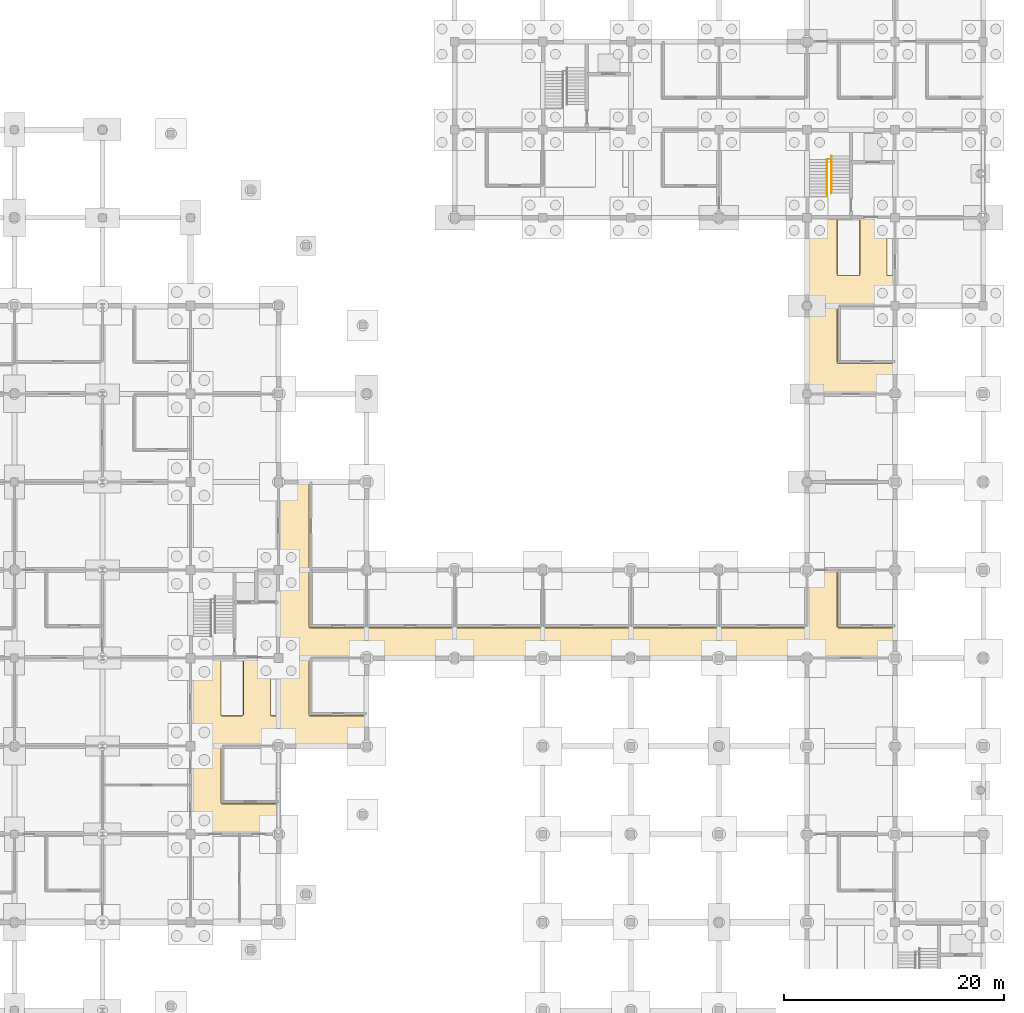
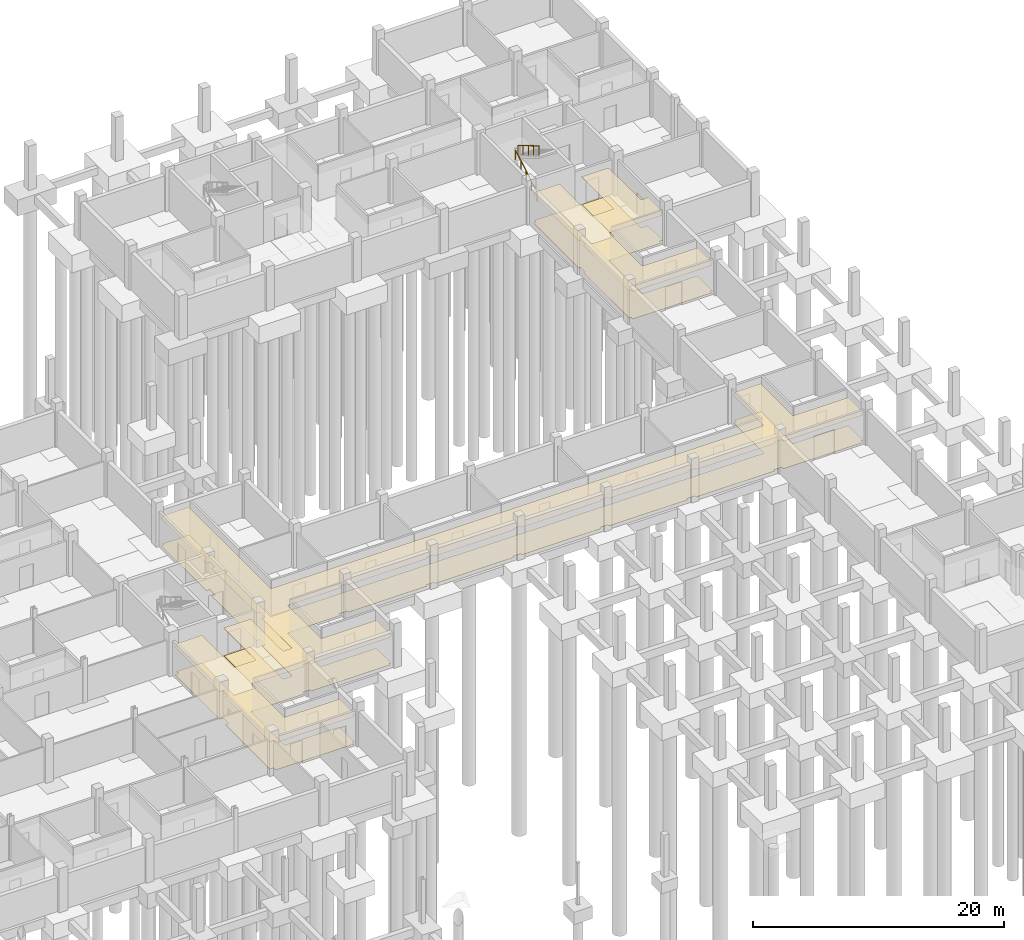
# One storey, part 46 of 48: 4 coverings, 2 railings.
"""IFC4 building model written with IfcOpenShell, lengths in metres."""

from ifc_helpers import new_model, si_unit, derived_unit, direction, frame, origin, origin_2d, place, context, subcontext, project, spatial, polyline, circle, outline, extrude, material, layer, layer_set, type_object, element, save


model = new_model("IFC4")

# Units and contexts
model_context = context("Model", 3, precision=1e-05, world=origin(), true_north=direction((0.0, 1.0)))
body_context = subcontext(model_context, "Body", "Model", "MODEL_VIEW")
ifc_project = project(units=[si_unit("LENGTHUNIT", "METRE"), si_unit("AREAUNIT", "SQUARE_METRE"), si_unit("VOLUMEUNIT", "CUBIC_METRE"), si_unit("PLANEANGLEUNIT", "RADIAN"), si_unit("MASSUNIT", "GRAM", prefix="KILO"), derived_unit("THERMALTRANSMITTANCEUNIT", [(si_unit("MASSUNIT", "GRAM", prefix="KILO"), 1), (si_unit("TIMEUNIT", "SECOND"), -3), (si_unit("THERMODYNAMICTEMPERATUREUNIT", "KELVIN"), -1)])], contexts=[model_context])

# Site, building, storey
site_placement = place(None, origin())
site = spatial("IfcSite", under=ifc_project, at=site_placement, CompositionType="ELEMENT")
building_placement = place(site_placement, origin())
building = spatial("IfcBuilding", under=site, at=building_placement, Name="Veyamyaing Civic Hall", CompositionType="ELEMENT")
storey_placement = place(building_placement, frame((0.0, 0.0, -4.2900390625)))
storey = spatial("IfcBuildingStorey", under=building, at=storey_placement, Name="B1", CompositionType="ELEMENT", Elevation=-4.2900390625)

# Coverings
ifc_material_1 = material(Name="Perforated acoustic gypsum ceiling board")
ifc_layer_1 = layer(ifc_material_1, 0.02490234375, Name="Perforated acoustic gypsum ceiling board")
ifc_layer_set_1 = layer_set([ifc_layer_1], Name="Perforated acoustic gypsum ceiling board")
covering_type_1 = type_object("IfcCoveringType", Name="CLG-01", PredefinedType="CEILING", material=ifc_layer_set_1)
covering_1_placement = place(storey_placement, frame((0.0, 0.0, 2.699951171875)))
element("IfcCovering", 1, at=covering_1_placement, inside=storey, type_object=covering_type_1, Name="Acoustic suspended ceiling CLG-01 B1-C05", PredefinedType="CEILING", context=body_context, shape_type="SweptSolid", body=[
    extrude(outline(polyline([(106.77490234375, 42.8525390625), (106.78125, 42.821533203125), (106.79736328125, 42.79736328125), (106.821533203125, 42.78125), (106.8525390625, 42.77490234375), (108.6982421875, 42.77490234375), (108.7216796875, 42.778564453125), (108.741455078125, 42.787841796875), (108.7578125, 42.802490234375), (108.768798828125, 42.82080078125), (108.77490234375, 42.8525390625), (108.77490234375, 47.925048828125), (111.27490234375, 47.925048828125), (111.27685546875, 42.8349609375), (111.283935546875, 42.8154296875), (111.302734375, 42.79248046875), (111.3291015625, 42.7783203125), (111.351806640625, 42.77490234375), (112.006591796875, 42.775390625), (112.028564453125, 42.781005859375), (112.04736328125, 42.792236328125), (112.06201171875, 42.80859375), (112.071533203125, 42.828369140625), (112.074951171875, 42.851806640625), (112.074951171875, 47.614990234375), (112.385009765625, 47.614990234375), (112.385009765625, 48.385009765625), (112.074951171875, 48.385009765625), (112.074951171875, 55.614990234375), (112.385009765625, 55.614990234375), (112.385009765625, 56.385009765625), (112.074951171875, 56.385009765625), (112.074951171875, 63.6650390625), (112.3349609375, 63.6650390625), (112.3349609375, 63.844970703125), (114.77490234375, 63.844970703125), (114.77490234375, 50.8525390625), (114.78125, 50.82080078125), (114.792236328125, 50.802490234375), (114.80810546875, 50.788330078125), (114.83544921875, 50.77685546875), (160.006103515625, 50.775390625), (160.03515625, 50.7841796875), (160.05810546875, 50.80322265625), (160.068603515625, 50.82080078125), (160.074951171875, 50.8525390625), (160.074951171875, 55.6650390625), (160.3349609375, 55.6650390625), (160.3349609375, 55.925048828125), (162.77490234375, 55.925048828125), (162.77490234375, 50.8525390625), (162.78125, 50.821533203125), (162.79736328125, 50.79736328125), (162.821533203125, 50.78125), (162.8525390625, 50.77490234375), (167.844970703125, 50.77490234375), (167.844970703125, 48.3349609375), (167.6650390625, 48.3349609375), (167.6650390625, 48.074951171875), (160.3349609375, 48.074951171875), (160.3349609375, 48.3349609375), (159.6650390625, 48.3349609375), (159.6650390625, 48.155029296875), (152.3349609375, 48.155029296875), (152.3349609375, 48.3349609375), (151.6650390625, 48.3349609375), (151.6650390625, 48.155029296875), (144.3349609375, 48.155029296875), (144.3349609375, 48.3349609375), (143.6650390625, 48.3349609375), (143.6650390625, 48.155029296875), (136.3349609375, 48.155029296875), (136.3349609375, 48.3349609375), (135.6650390625, 48.3349609375), (135.6650390625, 48.155029296875), (128.3349609375, 48.155029296875), (128.3349609375, 48.3349609375), (127.6650390625, 48.3349609375), (127.6650390625, 48.155029296875), (120.3349609375, 48.155029296875), (120.3349609375, 48.3349609375), (119.6650390625, 48.3349609375), (119.6650390625, 48.074951171875), (114.851806640625, 48.074951171875), (114.8291015625, 48.071533203125), (114.80224609375, 48.057373046875), (114.787841796875, 48.04150390625), (114.778564453125, 48.021728515625), (114.77490234375, 47.998291015625), (114.77490234375, 42.851806640625), (114.778564453125, 42.828369140625), (114.7880859375, 42.807861328125), (114.796630859375, 42.797607421875), (114.815185546875, 42.78369140625), (114.82763671875, 42.778564453125), (114.851806640625, 42.77490234375), (119.844970703125, 42.77490234375), (119.844970703125, 40.3349609375), (119.6650390625, 40.3349609375), (119.6650390625, 40.155029296875), (112.3349609375, 40.155029296875), (112.3349609375, 40.3349609375), (111.6650390625, 40.3349609375), (111.6650390625, 40.074951171875), (106.8525390625, 40.074951171875), (106.821533203125, 40.06884765625), (106.79736328125, 40.052734375), (106.78125, 40.028564453125), (106.77490234375, 39.99755859375), (106.77490234375, 34.851806640625), (106.778564453125, 34.828369140625), (106.7880859375, 34.807861328125), (106.796630859375, 34.797607421875), (106.815185546875, 34.78369140625), (106.82763671875, 34.778564453125), (106.851806640625, 34.77490234375), (111.844970703125, 34.77490234375), (111.844970703125, 32.3349609375), (111.6650390625, 32.3349609375), (111.6650390625, 32.074951171875), (104.409912109375, 32.074951171875), (104.409912109375, 32.409912109375), (104.074951171875, 32.409912109375), (104.074951171875, 39.590087890625), (104.409912109375, 39.590087890625), (104.409912109375, 40.409912109375), (104.074951171875, 40.409912109375), (104.074951171875, 47.590087890625), (104.409912109375, 47.590087890625), (104.409912109375, 47.925048828125), (106.77490234375, 47.925048828125), (106.77490234375, 42.8525390625)])), origin(), (0.0, 0.0, 1.0), 0.025146484375),
])
covering_2_placement = place(storey_placement, frame((0.0, 0.0, 2.699951171875)))
element("IfcCovering", 2, at=covering_2_placement, inside=storey, type_object=covering_type_1, Name="Acoustic suspended ceiling CLG-01 B1-C08", PredefinedType="CEILING", context=body_context, shape_type="SweptSolid", body=[
    extrude(outline(polyline([(162.77490234375, 82.8525390625), (162.78125, 82.821533203125), (162.79736328125, 82.79736328125), (162.821533203125, 82.78125), (162.8525390625, 82.77490234375), (164.6982421875, 82.77490234375), (164.7216796875, 82.778564453125), (164.741455078125, 82.787841796875), (164.7578125, 82.802490234375), (164.768798828125, 82.82080078125), (164.77490234375, 82.8525390625), (164.77490234375, 87.925048828125), (167.27490234375, 87.925048828125), (167.275390625, 82.843994140625), (167.284423828125, 82.814208984375), (167.297119140625, 82.797119140625), (167.314208984375, 82.784423828125), (167.343994140625, 82.775390625), (167.925048828125, 82.77490234375), (167.925048828125, 80.360107421875), (167.639892578125, 80.360107421875), (167.639892578125, 80.074951171875), (162.8525390625, 80.074951171875), (162.821533203125, 80.06884765625), (162.79736328125, 80.052734375), (162.78125, 80.028564453125), (162.77490234375, 79.99755859375), (162.77490234375, 74.8525390625), (162.78125, 74.821533203125), (162.79736328125, 74.79736328125), (162.821533203125, 74.78125), (162.8525390625, 74.77490234375), (167.844970703125, 74.77490234375), (167.844970703125, 72.3349609375), (167.6650390625, 72.3349609375), (167.6650390625, 72.074951171875), (160.3349609375, 72.074951171875), (160.3349609375, 72.3349609375), (160.155029296875, 72.3349609375), (160.155029296875, 79.6650390625), (160.3349609375, 79.6650390625), (160.3349609375, 80.3349609375), (160.155029296875, 80.3349609375), (160.155029296875, 87.614990234375), (160.385009765625, 87.614990234375), (160.385009765625, 87.925048828125), (162.77490234375, 87.925048828125), (162.77490234375, 82.8525390625)])), origin(), (0.0, 0.0, 1.0), 0.025146484375),
])
ifc_material_2 = material(Name="Polished Mandalay marble and terrazzo flooring", Category="masonry")
ifc_layer_2 = layer(ifc_material_2, 0.030029296875, Name="Polished Mandalay marble and terrazzo flooring")
ifc_layer_set_2 = layer_set([ifc_layer_2], Name="Polished Mandalay marble and terrazzo flooring")
covering_type_2 = type_object("IfcCoveringType", Name="FLR-01", PredefinedType="FLOORING", material=ifc_layer_set_2)
covering_3_placement = place(storey_placement, origin())
element("IfcCovering", 3, at=covering_3_placement, inside=storey, type_object=covering_type_2, Name="Stone and terrazzo flooring FLR-01 B1-C05", PredefinedType="FLOORING", context=body_context, shape_type="SweptSolid", body=[
    extrude(outline(polyline([(106.75, 42.85009765625), (106.757568359375, 42.811767578125), (106.779296875, 42.779296875), (106.811767578125, 42.757568359375), (106.85009765625, 42.75), (108.699951171875, 42.75), (108.72900390625, 42.75439453125), (108.755615234375, 42.766845703125), (108.77734375, 42.78662109375), (108.79248046875, 42.811767578125), (108.800048828125, 42.85009765625), (108.800048828125, 47.89990234375), (111.25, 47.89990234375), (111.251953125, 42.83056640625), (111.26171875, 42.802978515625), (111.28662109375, 42.772705078125), (111.321044921875, 42.75439453125), (111.35009765625, 42.75), (112.009765625, 42.75048828125), (112.038330078125, 42.757568359375), (112.0634765625, 42.772705078125), (112.0830078125, 42.79443359375), (112.095703125, 42.821044921875), (112.10009765625, 42.85009765625), (112.10009765625, 47.590087890625), (112.409912109375, 47.590087890625), (112.409912109375, 48.409912109375), (112.10009765625, 48.409912109375), (112.10009765625, 55.590087890625), (112.409912109375, 55.590087890625), (112.409912109375, 56.409912109375), (112.10009765625, 56.409912109375), (112.10009765625, 63.639892578125), (112.360107421875, 63.639892578125), (112.360107421875, 63.820068359375), (114.75, 63.820068359375), (114.75, 50.85009765625), (114.757568359375, 50.811767578125), (114.772705078125, 50.78662109375), (114.79443359375, 50.766845703125), (114.83056640625, 50.751953125), (160.009765625, 50.75048828125), (160.047119140625, 50.76171875), (160.077392578125, 50.78662109375), (160.09228515625, 50.811767578125), (160.10009765625, 50.85009765625), (160.10009765625, 55.639892578125), (160.360107421875, 55.639892578125), (160.360107421875, 55.89990234375), (162.75, 55.89990234375), (162.75, 50.85009765625), (162.757568359375, 50.811767578125), (162.779296875, 50.779296875), (162.811767578125, 50.757568359375), (162.85009765625, 50.75), (167.820068359375, 50.75), (167.820068359375, 48.360107421875), (167.639892578125, 48.360107421875), (167.639892578125, 48.10009765625), (160.360107421875, 48.10009765625), (160.360107421875, 48.360107421875), (159.639892578125, 48.360107421875), (159.639892578125, 48.179931640625), (152.360107421875, 48.179931640625), (152.360107421875, 48.360107421875), (151.639892578125, 48.360107421875), (151.639892578125, 48.179931640625), (144.360107421875, 48.179931640625), (144.360107421875, 48.360107421875), (143.639892578125, 48.360107421875), (143.639892578125, 48.179931640625), (136.360107421875, 48.179931640625), (136.360107421875, 48.360107421875), (135.639892578125, 48.360107421875), (135.639892578125, 48.179931640625), (128.360107421875, 48.179931640625), (128.360107421875, 48.360107421875), (127.639892578125, 48.360107421875), (127.639892578125, 48.179931640625), (120.360107421875, 48.179931640625), (120.360107421875, 48.360107421875), (119.639892578125, 48.360107421875), (119.639892578125, 48.10009765625), (114.85009765625, 48.10009765625), (114.821044921875, 48.095703125), (114.78662109375, 48.077392578125), (114.766845703125, 48.0556640625), (114.75439453125, 48.029052734375), (114.75, 48.0), (114.75, 42.85009765625), (114.75439453125, 42.821044921875), (114.766845703125, 42.79443359375), (114.779296875, 42.779296875), (114.802978515625, 42.76171875), (114.821044921875, 42.75439453125), (114.85009765625, 42.75), (119.820068359375, 42.75), (119.820068359375, 40.360107421875), (119.639892578125, 40.360107421875), (119.639892578125, 40.179931640625), (112.360107421875, 40.179931640625), (112.360107421875, 40.360107421875), (111.639892578125, 40.360107421875), (111.639892578125, 40.10009765625), (106.85009765625, 40.10009765625), (106.811767578125, 40.09228515625), (106.779296875, 40.07080078125), (106.757568359375, 40.038330078125), (106.75, 40.0), (106.75, 34.85009765625), (106.75439453125, 34.821044921875), (106.766845703125, 34.79443359375), (106.779296875, 34.779296875), (106.802978515625, 34.76171875), (106.821044921875, 34.75439453125), (106.85009765625, 34.75), (111.820068359375, 34.75), (111.820068359375, 32.360107421875), (111.639892578125, 32.360107421875), (111.639892578125, 32.10009765625), (104.43505859375, 32.10009765625), (104.43505859375, 32.43505859375), (104.10009765625, 32.43505859375), (104.10009765625, 39.56494140625), (104.43505859375, 39.56494140625), (104.43505859375, 40.43505859375), (104.10009765625, 40.43505859375), (104.10009765625, 47.56494140625), (104.43505859375, 47.56494140625), (104.43505859375, 47.89990234375), (106.75, 47.89990234375), (106.75, 42.85009765625)])), origin(), (0.0, 0.0, 1.0), 0.030029296875),
])
covering_4_placement = place(storey_placement, origin())
element("IfcCovering", 4, at=covering_4_placement, inside=storey, type_object=covering_type_2, Name="Stone and terrazzo flooring FLR-01 B1-C08", PredefinedType="FLOORING", context=body_context, shape_type="SweptSolid", body=[
    extrude(outline(polyline([(162.75, 82.85009765625), (162.757568359375, 82.811767578125), (162.779296875, 82.779296875), (162.811767578125, 82.757568359375), (162.85009765625, 82.75), (164.699951171875, 82.75), (164.72900390625, 82.75439453125), (164.755615234375, 82.766845703125), (164.77734375, 82.78662109375), (164.79248046875, 82.811767578125), (164.800048828125, 82.85009765625), (164.800048828125, 87.89990234375), (167.25, 87.89990234375), (167.25048828125, 82.840087890625), (167.26171875, 82.802978515625), (167.279296875, 82.779296875), (167.302978515625, 82.76171875), (167.340087890625, 82.75048828125), (167.89990234375, 82.75), (167.89990234375, 80.385009765625), (167.614990234375, 80.385009765625), (167.614990234375, 80.10009765625), (162.85009765625, 80.10009765625), (162.811767578125, 80.09228515625), (162.779296875, 80.07080078125), (162.757568359375, 80.038330078125), (162.75, 80.0), (162.75, 74.85009765625), (162.757568359375, 74.811767578125), (162.779296875, 74.779296875), (162.811767578125, 74.757568359375), (162.85009765625, 74.75), (167.820068359375, 74.75), (167.820068359375, 72.360107421875), (167.639892578125, 72.360107421875), (167.639892578125, 72.10009765625), (160.360107421875, 72.10009765625), (160.360107421875, 72.360107421875), (160.179931640625, 72.360107421875), (160.179931640625, 79.639892578125), (160.360107421875, 79.639892578125), (160.360107421875, 80.360107421875), (160.179931640625, 80.360107421875), (160.179931640625, 87.590087890625), (160.409912109375, 87.590087890625), (160.409912109375, 87.89990234375), (162.75, 87.89990234375), (162.75, 82.85009765625)])), origin(), (0.0, 0.0, 1.0), 0.030029296875),
])

# Railings
ifc_material_3 = material(Name="Steel S355J2", Category="steel")
railing_type = type_object("IfcRailingType", Name="RL-02", PredefinedType="HANDRAIL", material=ifc_material_3)
railing_1_placement = place(storey_placement, frame((161.840087890625, 89.949951171875, 0.1650390625)))
element("IfcRailing", 5, at=railing_1_placement, inside=storey, type_object=railing_type, Name="Stair pitch handrail RL-02 ST-03 B1.1", PredefinedType="HANDRAIL", context=body_context, shape_type="SweptSolid", body=[
    extrude(circle(Radius=0.02392578125, at=origin_2d()), frame((0.0, 0.0, 0.89599609375), z_axis=(0.0, 0.861547751209, 0.507676543073), x_axis=(-1.0, 0.0, 0.0)), (0.0, 0.0, 1.0), 3.900146484375),
    extrude(circle(Radius=0.02099609375, at=origin_2d()), origin(), (0.0, 0.0, 1.0), 0.871826171875),
    extrude(circle(Radius=0.02099609375, at=origin_2d()), frame((0.0, 0.840087890625, 0.4951171875)), (0.0, 0.0, 1.0), 0.871826171875),
    extrude(circle(Radius=0.02099609375, at=origin_2d()), frame((0.0, 1.68017578125, 0.989990234375)), (0.0, 0.0, 1.0), 0.871826171875),
    extrude(circle(Radius=0.02099609375, at=origin_2d()), frame((0.0, 2.52001953125, 1.48486328125)), (0.0, 0.0, 1.0), 0.871826171875),
    extrude(circle(Radius=0.02099609375, at=origin_2d()), frame((0.0, 3.360107421875, 1.97998046875)), (0.0, 0.0, 1.0), 0.871826171875),
])
railing_2_placement = place(storey_placement, frame((162.219970703125, 93.6298828125, 2.31005859375)))
element("IfcRailing", 6, at=railing_2_placement, inside=storey, type_object=railing_type, Name="Stair pitch handrail RL-02 ST-03 B1.2", PredefinedType="HANDRAIL", context=body_context, shape_type="SweptSolid", body=[
    extrude(circle(Radius=0.02392578125, at=origin_2d()), frame((0.0, 0.0, 0.89599609375), z_axis=(0.0, -0.861531615964, 0.507703924246), x_axis=(1.0, 0.0, 0.0)), (0.0, 0.0, 1.0), 3.89990234375),
    extrude(circle(Radius=0.02099609375, at=origin_2d()), origin(), (0.0, 0.0, 1.0), 0.871826171875),
    extrude(circle(Radius=0.02099609375, at=origin_2d()), frame((0.0, -0.83984375, 0.4951171875)), (0.0, 0.0, 1.0), 0.871826171875),
    extrude(circle(Radius=0.02099609375, at=origin_2d()), frame((0.0, -1.679931640625, 0.989990234375)), (0.0, 0.0, 1.0), 0.871826171875),
    extrude(circle(Radius=0.02099609375, at=origin_2d()), frame((0.0, -2.52001953125, 1.48486328125)), (0.0, 0.0, 1.0), 0.871826171875),
    extrude(circle(Radius=0.02099609375, at=origin_2d()), frame((0.0, -3.35986328125, 1.97998046875)), (0.0, 0.0, 1.0), 0.871826171875),
])

save(model, "model.ifc")
